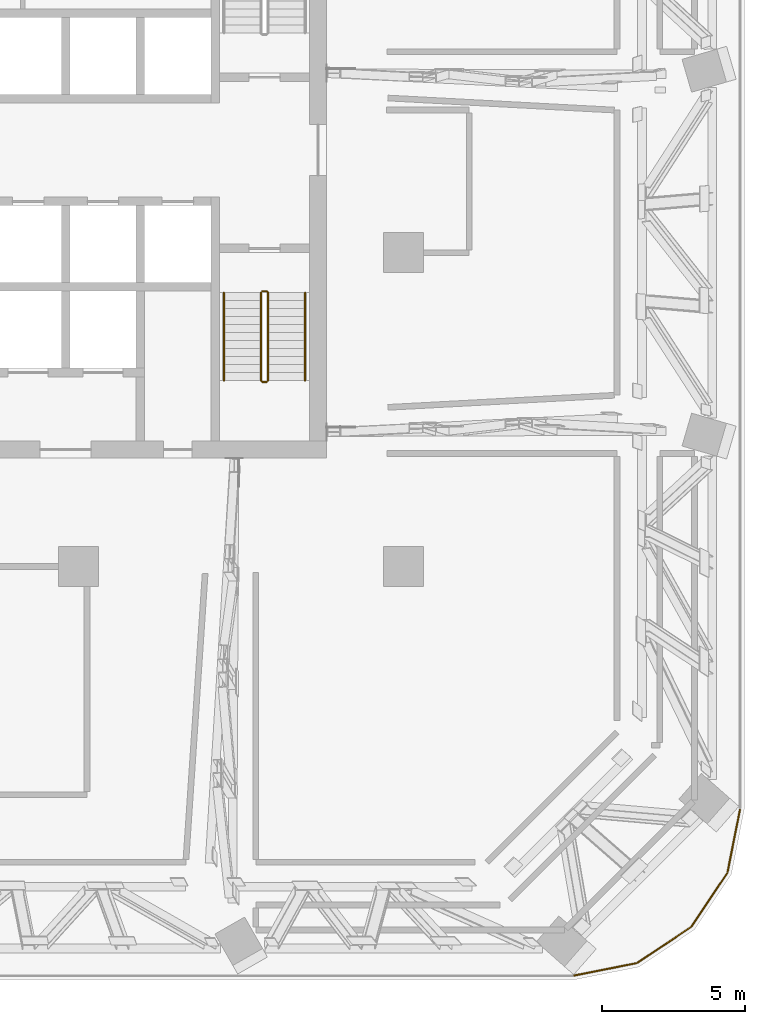
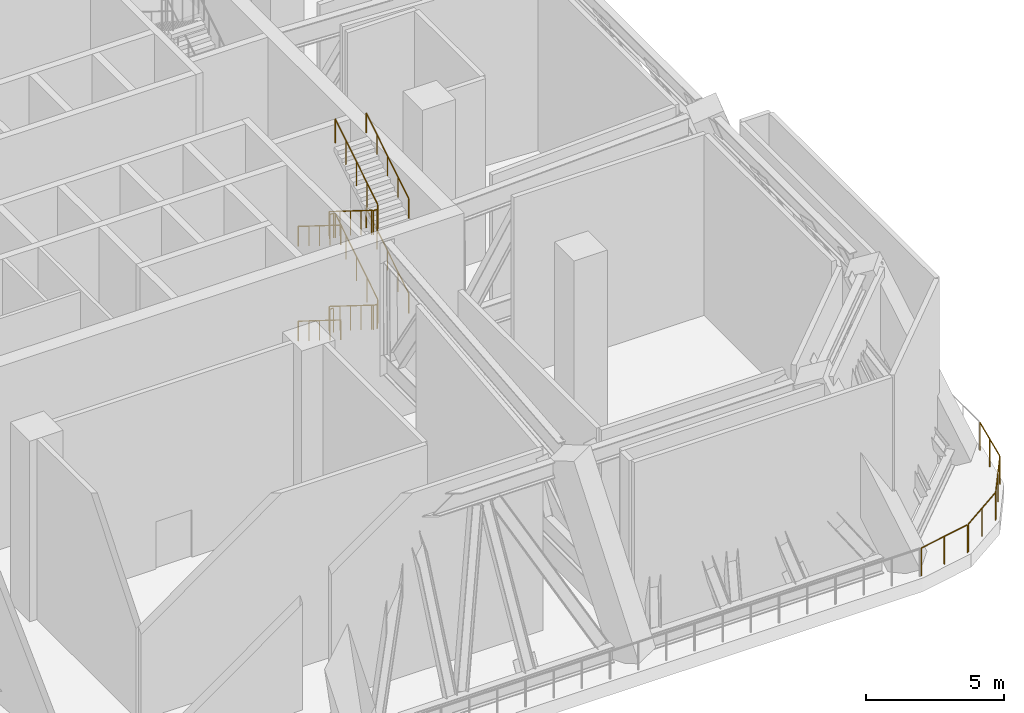
# One storey, part 20 of 24: 13 railings.
"""IFC4 building model written with IfcOpenShell, lengths in metres."""

from ifc_helpers import new_model, si_unit, direction, frame, origin, origin_2d, place, context, subcontext, project, spatial, circle, extrude, material, type_object, element, save


model = new_model("IFC4")

# Units and contexts
model_context = context("Model", 3, precision=1e-05, world=origin(), true_north=direction((0.0, 1.0)))
body_context = subcontext(model_context, "Body", "Model", "MODEL_VIEW")
ifc_project = project(units=[si_unit("LENGTHUNIT", "METRE"), si_unit("AREAUNIT", "SQUARE_METRE"), si_unit("VOLUMEUNIT", "CUBIC_METRE"), si_unit("PLANEANGLEUNIT", "RADIAN"), si_unit("MASSUNIT", "GRAM", prefix="KILO")], contexts=[model_context])

# Site, building, storey
site_placement = place(None, origin())
site = spatial("IfcSite", under=ifc_project, at=site_placement, CompositionType="ELEMENT")
building_placement = place(site_placement, origin())
building = spatial("IfcBuilding", under=site, at=building_placement, Name="Mopane Tessera Tower", CompositionType="ELEMENT")
storey_placement = place(building_placement, frame((0.0, 0.0, 148.60009765625)))
storey = spatial("IfcBuildingStorey", under=building, at=storey_placement, Name="L30", CompositionType="ELEMENT", Elevation=148.60009765625)

# Railings
ifc_material_1 = material(Name="Powder-coated steel balustrade", Category="steel")
railing_type_1 = type_object("IfcRailingType", Name="Escape stair guard 1100 mm", PredefinedType="GUARDRAIL", material=ifc_material_1)
railing_1_placement = place(storey_placement, frame((12.10009765625, -1.39990234375, 0.1748046875)))
element("IfcRailing", 1, at=railing_1_placement, inside=storey, type_object=railing_type_1, Name="L30 ST3 stair guard 1", PredefinedType="GUARDRAIL", context=body_context, shape_type="SweptSolid", body=[
    extrude(circle(Radius=0.02392578125, at=origin_2d()), frame((0.0, 0.0, 1.076171875), z_axis=(0.0, -0.847998304005, 0.529998940003), x_axis=(1.0, 0.0, 0.0)), (0.0, 0.0, 1.0), 3.632080078125),
    extrude(circle(Radius=0.02392578125, at=origin_2d()), frame((0.0, -3.080078125, 3.0009765625), z_axis=(0.705375805398, -0.708833529934, 0.0), x_axis=(0.708833529934, 0.705375805398, 0.0)), (0.0, 0.0, 1.0), 0.070556640625),
    extrude(circle(Radius=0.02392578125, at=origin_2d()), frame((0.0498046875, -3.130126953125, 3.0009765625), z_axis=(1.0, 0.0, 0.0), x_axis=(0.0, 1.0, 0.0)), (0.0, 0.0, 1.0), 0.150146484375),
    extrude(circle(Radius=0.02099609375, at=origin_2d()), origin(), (0.0, 0.0, 1.0), 1.052001953125),
    extrude(circle(Radius=0.02099609375, at=origin_2d()), frame((0.0, -0.77001953125, 0.481201171875)), (0.0, 0.0, 1.0), 1.052001953125),
    extrude(circle(Radius=0.02099609375, at=origin_2d()), frame((0.0, -1.5400390625, 0.96240234375)), (0.0, 0.0, 1.0), 1.052001953125),
    extrude(circle(Radius=0.02099609375, at=origin_2d()), frame((0.0, -2.31005859375, 1.44384765625)), (0.0, 0.0, 1.0), 1.052001953125),
    extrude(circle(Radius=0.02099609375, at=origin_2d()), frame((0.0, -3.080078125, 1.925048828125)), (0.0, 0.0, 1.0), 1.052001953125),
    extrude(circle(Radius=0.02099609375, at=origin_2d()), frame((0.0498046875, -3.130126953125, 1.925048828125)), (0.0, 0.0, 1.0), 1.052001953125),
    extrude(circle(Radius=0.02099609375, at=origin_2d()), frame((0.199951171875, -3.130126953125, 1.925048828125)), (0.0, 0.0, 1.0), 1.052001953125),
])
railing_2_placement = place(storey_placement, frame((12.35009765625, -4.47998046875, 2.27490234375)))
element("IfcRailing", 2, at=railing_2_placement, inside=storey, type_object=railing_type_1, Name="L30 ST3 stair guard 2", PredefinedType="GUARDRAIL", context=body_context, shape_type="SweptSolid", body=[
    extrude(circle(Radius=0.02392578125, at=origin_2d()), frame((0.0, 0.0, 1.076171875), z_axis=(0.0, 0.847998304005, 0.529998940003), x_axis=(-1.0, 0.0, 0.0)), (0.0, 0.0, 1.0), 3.632080078125),
    extrude(circle(Radius=0.02392578125, at=origin_2d()), frame((0.0, 3.080078125, 3.0009765625), z_axis=(-0.708833529934, 0.705375805398, 0.0), x_axis=(-0.705375805398, -0.708833529934, 0.0)), (0.0, 0.0, 1.0), 0.070556640625),
    extrude(circle(Radius=0.02392578125, at=origin_2d()), frame((-0.050048828125, 3.1298828125, 3.0009765625), z_axis=(-1.0, 0.0, 0.0), x_axis=(0.0, -1.0, 0.0)), (0.0, 0.0, 1.0), 0.150146484375),
    extrude(circle(Radius=0.02099609375, at=origin_2d()), origin(), (0.0, 0.0, 1.0), 1.052001953125),
    extrude(circle(Radius=0.02099609375, at=origin_2d()), frame((0.0, 0.77001953125, 0.481201171875)), (0.0, 0.0, 1.0), 1.052001953125),
    extrude(circle(Radius=0.02099609375, at=origin_2d()), frame((0.0, 1.5400390625, 0.96240234375)), (0.0, 0.0, 1.0), 1.052001953125),
    extrude(circle(Radius=0.02099609375, at=origin_2d()), frame((0.0, 2.31005859375, 1.44384765625)), (0.0, 0.0, 1.0), 1.052001953125),
    extrude(circle(Radius=0.02099609375, at=origin_2d()), frame((0.0, 3.080078125, 1.925048828125)), (0.0, 0.0, 1.0), 1.052001953125),
    extrude(circle(Radius=0.02099609375, at=origin_2d()), frame((-0.050048828125, 3.1298828125, 1.925048828125)), (0.0, 0.0, 1.0), 1.052001953125),
    extrude(circle(Radius=0.02099609375, at=origin_2d()), frame((-0.2001953125, 3.1298828125, 1.925048828125)), (0.0, 0.0, 1.0), 1.052001953125),
])
railing_3_placement = place(storey_placement, frame((12.10009765625, -1.39990234375, 4.375)))
element("IfcRailing", 3, at=railing_3_placement, inside=storey, type_object=railing_type_1, Name="L30 ST3 stair guard 3", PredefinedType="GUARDRAIL", context=body_context, shape_type="SweptSolid", body=[
    extrude(circle(Radius=0.02392578125, at=origin_2d()), frame((0.0, 0.0, 1.076171875), z_axis=(0.0, -0.848028513186, 0.529950602248), x_axis=(1.0, 0.0, 0.0)), (0.0, 0.0, 1.0), 3.632080078125),
    extrude(circle(Radius=0.02392578125, at=origin_2d()), frame((0.0, -3.080078125, 3.0009765625), z_axis=(0.705375805398, -0.708833529934, 0.0), x_axis=(0.708833529934, 0.705375805398, 0.0)), (0.0, 0.0, 1.0), 0.070556640625),
    extrude(circle(Radius=0.02392578125, at=origin_2d()), frame((0.0498046875, -3.130126953125, 3.0009765625), z_axis=(1.0, 0.0, 0.0), x_axis=(0.0, 1.0, 0.0)), (0.0, 0.0, 1.0), 0.150146484375),
    extrude(circle(Radius=0.02099609375, at=origin_2d()), origin(), (0.0, 0.0, 1.0), 1.052001953125),
    extrude(circle(Radius=0.02099609375, at=origin_2d()), frame((0.0, -0.77001953125, 0.481201171875)), (0.0, 0.0, 1.0), 1.052001953125),
    extrude(circle(Radius=0.02099609375, at=origin_2d()), frame((0.0, -1.5400390625, 0.96240234375)), (0.0, 0.0, 1.0), 1.052001953125),
    extrude(circle(Radius=0.02099609375, at=origin_2d()), frame((0.0, -2.31005859375, 1.443603515625)), (0.0, 0.0, 1.0), 1.052001953125),
    extrude(circle(Radius=0.02099609375, at=origin_2d()), frame((0.0, -3.080078125, 1.9248046875)), (0.0, 0.0, 1.0), 1.052001953125),
    extrude(circle(Radius=0.02099609375, at=origin_2d()), frame((0.0498046875, -3.130126953125, 1.9248046875)), (0.0, 0.0, 1.0), 1.052001953125),
    extrude(circle(Radius=0.02099609375, at=origin_2d()), frame((0.199951171875, -3.130126953125, 1.9248046875)), (0.0, 0.0, 1.0), 1.052001953125),
])
railing_4_placement = place(storey_placement, frame((12.35009765625, -4.47998046875, 6.474853515625)))
element("IfcRailing", 4, at=railing_4_placement, inside=storey, type_object=railing_type_1, Name="L30 ST3 stair guard 4", PredefinedType="GUARDRAIL", context=body_context, shape_type="SweptSolid", body=[
    extrude(circle(Radius=0.02392578125, at=origin_2d()), frame((0.0, 0.0, 1.076171875), z_axis=(0.0, 0.847998304005, 0.529998940003), x_axis=(-1.0, 0.0, 0.0)), (0.0, 0.0, 1.0), 3.632080078125),
    extrude(circle(Radius=0.02099609375, at=origin_2d()), origin(), (0.0, 0.0, 1.0), 1.052001953125),
    extrude(circle(Radius=0.02099609375, at=origin_2d()), frame((0.0, 0.77001953125, 0.481201171875)), (0.0, 0.0, 1.0), 1.052001953125),
    extrude(circle(Radius=0.02099609375, at=origin_2d()), frame((0.0, 1.5400390625, 0.96240234375)), (0.0, 0.0, 1.0), 1.052001953125),
    extrude(circle(Radius=0.02099609375, at=origin_2d()), frame((0.0, 2.31005859375, 1.44384765625)), (0.0, 0.0, 1.0), 1.052001953125),
    extrude(circle(Radius=0.02099609375, at=origin_2d()), frame((0.0, 3.080078125, 1.925048828125)), (0.0, 0.0, 1.0), 1.052001953125),
])
railing_5_placement = place(storey_placement, frame((12.14990234375, -1.35009765625, 0.0)))
element("IfcRailing", 5, at=railing_5_placement, inside=storey, type_object=railing_type_1, Name="L30 ST3 stair guard 5", PredefinedType="GUARDRAIL", context=body_context, shape_type="SweptSolid", body=[
    extrude(circle(Radius=0.02392578125, at=origin_2d()), frame((0.0, 0.0, 1.076171875), z_axis=(1.0, 0.0, 0.0), x_axis=(0.0, 1.0, 0.0)), (0.0, 0.0, 1.0), 0.150146484375),
    extrude(circle(Radius=0.02099609375, at=origin_2d()), origin(), (0.0, 0.0, 1.0), 1.052001953125),
    extrude(circle(Radius=0.02099609375, at=origin_2d()), frame((0.150146484375, 0.0, 0.0)), (0.0, 0.0, 1.0), 1.052001953125),
])
ifc_material_2 = material(Name="Powder-coated steel balustrade", Category="steel")
railing_type_2 = type_object("IfcRailingType", Name="Escape stair handrail 900 mm", PredefinedType="HANDRAIL", material=ifc_material_2)
railing_6_placement = place(storey_placement, frame((10.800048828125, -1.39990234375, 0.1748046875)))
element("IfcRailing", 6, at=railing_6_placement, inside=storey, type_object=railing_type_2, Name="L30 ST3 stair handrail 1", PredefinedType="HANDRAIL", context=body_context, shape_type="SweptSolid", body=[
    extrude(circle(Radius=0.02392578125, at=origin_2d()), frame((0.0, 0.0, 0.8759765625), z_axis=(0.0, -0.847998304005, 0.529998940003), x_axis=(1.0, 0.0, 0.0)), (0.0, 0.0, 1.0), 3.632080078125),
    extrude(circle(Radius=0.02099609375, at=origin_2d()), origin(), (0.0, 0.0, 1.0), 0.851806640625),
    extrude(circle(Radius=0.02099609375, at=origin_2d()), frame((0.0, -0.77001953125, 0.481201171875)), (0.0, 0.0, 1.0), 0.851806640625),
    extrude(circle(Radius=0.02099609375, at=origin_2d()), frame((0.0, -1.5400390625, 0.96240234375)), (0.0, 0.0, 1.0), 0.851806640625),
    extrude(circle(Radius=0.02099609375, at=origin_2d()), frame((0.0, -2.31005859375, 1.44384765625)), (0.0, 0.0, 1.0), 0.851806640625),
    extrude(circle(Radius=0.02099609375, at=origin_2d()), frame((0.0, -3.080078125, 1.925048828125)), (0.0, 0.0, 1.0), 0.851806640625),
])
railing_7_placement = place(storey_placement, frame((13.64990234375, -4.47998046875, 2.27490234375)))
element("IfcRailing", 7, at=railing_7_placement, inside=storey, type_object=railing_type_2, Name="L30 ST3 stair handrail 2", PredefinedType="HANDRAIL", context=body_context, shape_type="SweptSolid", body=[
    extrude(circle(Radius=0.02392578125, at=origin_2d()), frame((0.0, 0.0, 0.8759765625), z_axis=(0.0, 0.847998304005, 0.529998940003), x_axis=(-1.0, 0.0, 0.0)), (0.0, 0.0, 1.0), 3.632080078125),
    extrude(circle(Radius=0.02099609375, at=origin_2d()), origin(), (0.0, 0.0, 1.0), 0.851806640625),
    extrude(circle(Radius=0.02099609375, at=origin_2d()), frame((0.0, 0.77001953125, 0.481201171875)), (0.0, 0.0, 1.0), 0.851806640625),
    extrude(circle(Radius=0.02099609375, at=origin_2d()), frame((0.0, 1.5400390625, 0.96240234375)), (0.0, 0.0, 1.0), 0.851806640625),
    extrude(circle(Radius=0.02099609375, at=origin_2d()), frame((0.0, 2.31005859375, 1.44384765625)), (0.0, 0.0, 1.0), 0.851806640625),
    extrude(circle(Radius=0.02099609375, at=origin_2d()), frame((0.0, 3.080078125, 1.925048828125)), (0.0, 0.0, 1.0), 0.851806640625),
])
railing_8_placement = place(storey_placement, frame((10.800048828125, -1.39990234375, 4.375)))
element("IfcRailing", 8, at=railing_8_placement, inside=storey, type_object=railing_type_2, Name="L30 ST3 stair handrail 3", PredefinedType="HANDRAIL", context=body_context, shape_type="SweptSolid", body=[
    extrude(circle(Radius=0.02392578125, at=origin_2d()), frame((0.0, 0.0, 0.8759765625), z_axis=(0.0, -0.848028513186, 0.529950602248), x_axis=(1.0, 0.0, 0.0)), (0.0, 0.0, 1.0), 3.632080078125),
    extrude(circle(Radius=0.02099609375, at=origin_2d()), origin(), (0.0, 0.0, 1.0), 0.851806640625),
    extrude(circle(Radius=0.02099609375, at=origin_2d()), frame((0.0, -0.77001953125, 0.481201171875)), (0.0, 0.0, 1.0), 0.851806640625),
    extrude(circle(Radius=0.02099609375, at=origin_2d()), frame((0.0, -1.5400390625, 0.96240234375)), (0.0, 0.0, 1.0), 0.851806640625),
    extrude(circle(Radius=0.02099609375, at=origin_2d()), frame((0.0, -2.31005859375, 1.443603515625)), (0.0, 0.0, 1.0), 0.851806640625),
    extrude(circle(Radius=0.02099609375, at=origin_2d()), frame((0.0, -3.080078125, 1.9248046875)), (0.0, 0.0, 1.0), 0.851806640625),
])
railing_9_placement = place(storey_placement, frame((13.64990234375, -4.47998046875, 6.474853515625)))
element("IfcRailing", 9, at=railing_9_placement, inside=storey, type_object=railing_type_2, Name="L30 ST3 stair handrail 4", PredefinedType="HANDRAIL", context=body_context, shape_type="SweptSolid", body=[
    extrude(circle(Radius=0.02392578125, at=origin_2d()), frame((0.0, 0.0, 0.8759765625), z_axis=(0.0, 0.847998304005, 0.529998940003), x_axis=(-1.0, 0.0, 0.0)), (0.0, 0.0, 1.0), 3.632080078125),
    extrude(circle(Radius=0.02099609375, at=origin_2d()), origin(), (0.0, 0.0, 1.0), 0.851806640625),
    extrude(circle(Radius=0.02099609375, at=origin_2d()), frame((0.0, 0.77001953125, 0.481201171875)), (0.0, 0.0, 1.0), 0.851806640625),
    extrude(circle(Radius=0.02099609375, at=origin_2d()), frame((0.0, 1.5400390625, 0.96240234375)), (0.0, 0.0, 1.0), 0.851806640625),
    extrude(circle(Radius=0.02099609375, at=origin_2d()), frame((0.0, 2.31005859375, 1.44384765625)), (0.0, 0.0, 1.0), 0.851806640625),
    extrude(circle(Radius=0.02099609375, at=origin_2d()), frame((0.0, 3.080078125, 1.925048828125)), (0.0, 0.0, 1.0), 0.851806640625),
])
ifc_material_3 = material(Name="Stainless steel S316", Category="steel")
railing_type_3 = type_object("IfcRailingType", Name="Wind floor guard 1250", PredefinedType="GUARDRAIL", material=ifc_material_3)
railing_10_placement = place(storey_placement, frame((23.079345703125, -25.34423828125, 0.0)))
element("IfcRailing", 10, at=railing_10_placement, inside=storey, type_object=railing_type_3, Name="e:og:L30:1", PredefinedType="GUARDRAIL", context=body_context, shape_type="SweptSolid", body=[
    extrude(circle(Radius=0.02392578125, at=origin_2d()), frame((0.0, 0.0, 1.22607421875), z_axis=(0.980787141005, 0.195080967905, 0.0), x_axis=(-0.195080967905, 0.980787141005, 0.0)), (0.0, 0.0, 1.0), 2.22265625),
    extrude(circle(Radius=0.02099609375, at=origin_2d()), origin(), (0.0, 0.0, 1.0), 1.201904296875),
    extrude(circle(Radius=0.02099609375, at=origin_2d()), frame((1.08984375, 0.216796875, 0.0)), (0.0, 0.0, 1.0), 1.201904296875),
    extrude(circle(Radius=0.02099609375, at=origin_2d()), frame((2.179931640625, 0.43359375, 0.0)), (0.0, 0.0, 1.0), 1.201904296875),
])
railing_11_placement = place(storey_placement, frame((25.313720703125, -24.887939453125, 0.0)))
element("IfcRailing", 11, at=railing_11_placement, inside=storey, type_object=railing_type_3, Name="e:og:L30:2", PredefinedType="GUARDRAIL", context=body_context, shape_type="SweptSolid", body=[
    extrude(circle(Radius=0.02392578125, at=origin_2d()), frame((0.0, 0.0, 1.22607421875), z_axis=(0.831492148611, 0.55553650357, 0.0), x_axis=(-0.55553650357, 0.831492148611, 0.0)), (0.0, 0.0, 1.0), 2.222412109375),
    extrude(circle(Radius=0.02099609375, at=origin_2d()), origin(), (0.0, 0.0, 1.0), 1.201904296875),
    extrude(circle(Radius=0.02099609375, at=origin_2d()), frame((0.923828125, 0.6171875, 0.0)), (0.0, 0.0, 1.0), 1.201904296875),
    extrude(circle(Radius=0.02099609375, at=origin_2d()), frame((1.847900390625, 1.234619140625, 0.0)), (0.0, 0.0, 1.0), 1.201904296875),
])
railing_12_placement = place(storey_placement, frame((27.203125, -23.611572265625, 0.0)))
element("IfcRailing", 12, at=railing_12_placement, inside=storey, type_object=railing_type_3, Name="e:og:L30:3", PredefinedType="GUARDRAIL", context=body_context, shape_type="SweptSolid", body=[
    extrude(circle(Radius=0.02392578125, at=origin_2d()), frame((0.0, 0.0, 1.22607421875), z_axis=(0.555612448047, 0.831441403573, 0.0), x_axis=(-0.831441403573, 0.555612448047, 0.0)), (0.0, 0.0, 1.0), 2.222412109375),
    extrude(circle(Radius=0.02099609375, at=origin_2d()), origin(), (0.0, 0.0, 1.0), 1.201904296875),
    extrude(circle(Radius=0.02099609375, at=origin_2d()), frame((0.617431640625, 0.923828125, 0.0)), (0.0, 0.0, 1.0), 1.201904296875),
    extrude(circle(Radius=0.02099609375, at=origin_2d()), frame((1.23486328125, 1.847900390625, 0.0)), (0.0, 0.0, 1.0), 1.201904296875),
])
railing_13_placement = place(storey_placement, frame((28.46044921875, -21.709228515625, 0.0)))
element("IfcRailing", 13, at=railing_13_placement, inside=storey, type_object=railing_type_3, Name="e:og:L30:4", PredefinedType="GUARDRAIL", context=body_context, shape_type="SweptSolid", body=[
    extrude(circle(Radius=0.02392578125, at=origin_2d()), frame((0.0, 0.0, 1.22607421875), z_axis=(0.195101986683, 0.980782960085, 0.0), x_axis=(-0.980782960085, 0.195101986683, 0.0)), (0.0, 0.0, 1.0), 2.222412109375),
    extrude(circle(Radius=0.02099609375, at=origin_2d()), origin(), (0.0, 0.0, 1.0), 1.201904296875),
    extrude(circle(Radius=0.02099609375, at=origin_2d()), frame((0.216796875, 1.08984375, 0.0)), (0.0, 0.0, 1.0), 1.201904296875),
    extrude(circle(Radius=0.02099609375, at=origin_2d()), frame((0.43359375, 2.1796875, 0.0)), (0.0, 0.0, 1.0), 1.201904296875),
])

save(model, "model.ifc")
